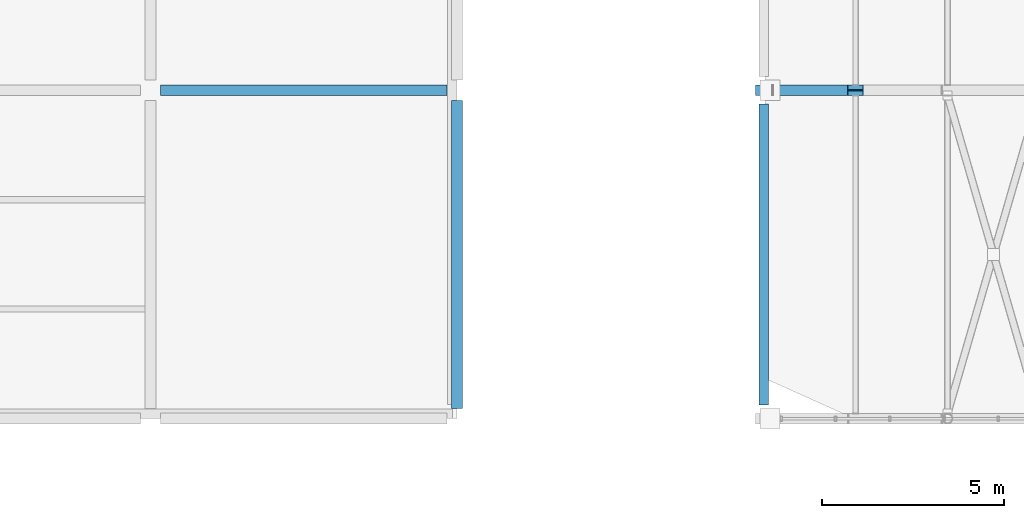
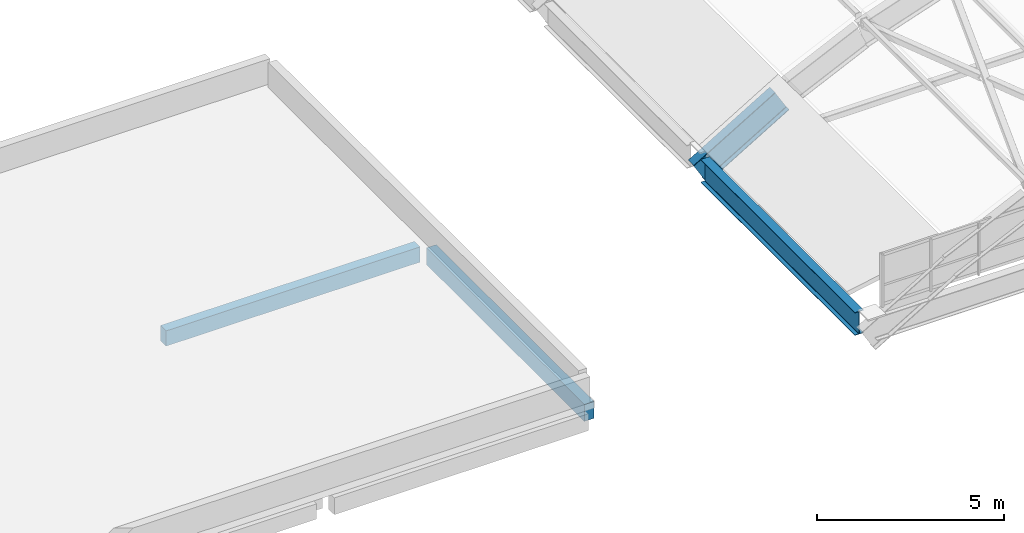
# One storey, part 63 of 107: 4 beams.
"""IFC4 building model written with IfcOpenShell, lengths in metres."""

from ifc_helpers import new_model, si_unit, direction, frame, origin, origin_2d, place, context, subcontext, project, spatial, rectangle, i_section, extrude, material, material_profile, profile_set, type_object, element, save


model = new_model("IFC4")

# Units and contexts
model_context = context("Model", 3, precision=1e-05, world=origin(), true_north=direction((0.0, 1.0)))
body_context = subcontext(model_context, "Body", "Model", "MODEL_VIEW")
ifc_project = project(units=[si_unit("LENGTHUNIT", "METRE"), si_unit("AREAUNIT", "SQUARE_METRE"), si_unit("VOLUMEUNIT", "CUBIC_METRE"), si_unit("PLANEANGLEUNIT", "RADIAN"), si_unit("MASSUNIT", "GRAM", prefix="KILO")], contexts=[model_context])

# Site, building, storey
site_placement = place(None, origin())
site = spatial("IfcSite", under=ifc_project, at=site_placement, CompositionType="ELEMENT")
building_placement = place(site_placement, origin())
building = spatial("IfcBuilding", under=site, at=building_placement, Name="Vireocrest Preparatory School", CompositionType="ELEMENT")
storey_placement = place(building_placement, frame((0.0, 0.0, 13.199951171875)))
storey = spatial("IfcBuildingStorey", under=building, at=storey_placement, Name="L03", CompositionType="ELEMENT", Elevation=13.199951171875)

# Beams
ifc_material_1 = material(Name="Structural steel ASTM A992 Grade 50", Category="steel")
ifc_material_profile_1 = material_profile(ifc_material_1, i_section(OverallWidth=0.2919921875, OverallDepth=0.841064453125, WebThickness=0.0146484375, FlangeThickness=0.021728515625, FilletRadius=0.02001953125, at=origin_2d()), Name="W33X130")
ifc_profile_set_1 = profile_set([ifc_material_profile_1], Name="Structural steel ASTM A992 Grade 50")
beam_type_1 = type_object("IfcBeamType", Name="Assembly Hall Barrel Vault Arch Rib W33X130", PredefinedType="BEAM", material=ifc_profile_set_1)
beam_1_placement = place(storey_placement, frame((142.800048828125, 27.0, -0.883544921875), z_axis=(0.858599207137, 0.0, 0.512647443672), x_axis=(0.0, 1.0, 0.0)))
element("IfcBeam", 1, at=beam_1_placement, inside=storey, type_object=beam_type_1, Name="Assembly Hall Barrel Vault Roof Arch Rib 2 Seg 1", PredefinedType="BEAM", context=body_context, shape_type="SweptSolid", body=[
    extrude(i_section(OverallWidth=0.2919921875, OverallDepth=0.841064453125, WebThickness=0.0146484375, FlangeThickness=0.021728515625, FilletRadius=0.02001953125, at=origin_2d()), origin(), (0.0, 0.0, 1.0), 2.93505859375),
])
ifc_material_profile_2 = material_profile(ifc_material_1, i_section(OverallWidth=0.264892578125, OverallDepth=0.7529296875, WebThickness=0.01318359375, FlangeThickness=0.01708984375, FilletRadius=0.01904296875, at=origin_2d()), Name="W30X99")
ifc_profile_set_2 = profile_set([ifc_material_profile_2], Name="Structural steel ASTM A992 Grade 50")
beam_type_2 = type_object("IfcBeamType", Name="Assembly Hall Vault Ring Beam W30X99", PredefinedType="BEAM", material=ifc_profile_set_2)
beam_2_placement = place(storey_placement, frame((142.800048828125, 18.375, -0.596435546875), z_axis=(0.0, 1.0, 0.0), x_axis=(-1.0, 0.0, 0.0)))
element("IfcBeam", 2, at=beam_2_placement, inside=storey, type_object=beam_type_2, Name="Assembly Hall Barrel Vault Roof Ring Beam W 18.0-27.0", PredefinedType="BEAM", context=body_context, shape_type="SweptSolid", body=[
    extrude(i_section(OverallWidth=0.264892578125, OverallDepth=0.7529296875, WebThickness=0.01318359375, FlangeThickness=0.01708984375, FilletRadius=0.01904296875, at=origin_2d()), origin(), (0.0, 0.0, 1.0), 8.25),
])
ifc_material_2 = material(Name="Concrete 40 MPa", Category="concrete")
ifc_material_profile_3 = material_profile(ifc_material_2, rectangle(XDim=0.300048828125, YDim=0.5, at=origin_2d()), Name="RC 300x500")
ifc_profile_set_3 = profile_set([ifc_material_profile_3], Name="Concrete 40 MPa")
beam_type_3 = type_object("IfcBeamType", Name="RC Roof Edge Beam 300x500", PredefinedType="BEAM", material=ifc_profile_set_3)
beam_3_placement = place(storey_placement, frame((126.27490234375, 27.0, -0.469970703125), z_axis=(1.0, 0.0, 0.0), x_axis=(0.0, 1.0, 0.0)))
element("IfcBeam", 3, at=beam_3_placement, inside=storey, type_object=beam_type_3, Name="Primary Girder B01 L03-1041", PredefinedType="BEAM", context=body_context, shape_type="SweptSolid", body=[
    extrude(rectangle(XDim=0.300048828125, YDim=0.5, at=origin_2d()), origin(), (0.0, 0.0, 1.0), 7.85009765625),
])
ifc_material_profile_4 = material_profile(ifc_material_2, rectangle(XDim=0.300048828125, YDim=0.550048828125, at=origin_2d()), Name="RC 300x550")
ifc_profile_set_4 = profile_set([ifc_material_profile_4], Name="Concrete 40 MPa")
beam_type_4 = type_object("IfcBeamType", Name="RC Roof Girder 300x550", PredefinedType="BEAM", material=ifc_profile_set_4)
beam_4_placement = place(storey_placement, frame((134.39990234375, 18.27490234375, -0.494873046875), z_axis=(0.0, 1.0, 0.0), x_axis=(-1.0, 0.0, 0.0)))
element("IfcBeam", 4, at=beam_4_placement, inside=storey, type_object=beam_type_4, Name="Primary Girder B02 L03-1181", PredefinedType="BEAM", context=body_context, shape_type="SweptSolid", body=[
    extrude(rectangle(XDim=0.300048828125, YDim=0.550048828125, at=origin_2d()), origin(), (0.0, 0.0, 1.0), 8.4501953125),
])

save(model, "model.ifc")
